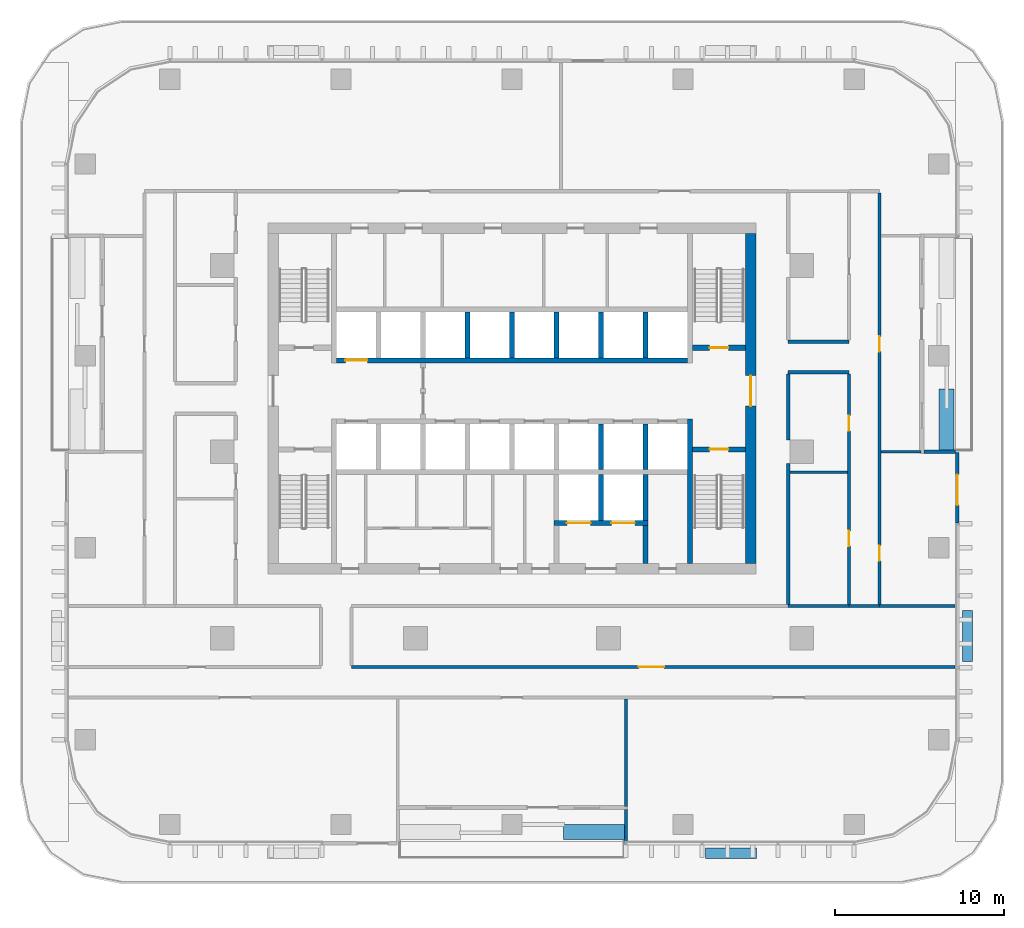
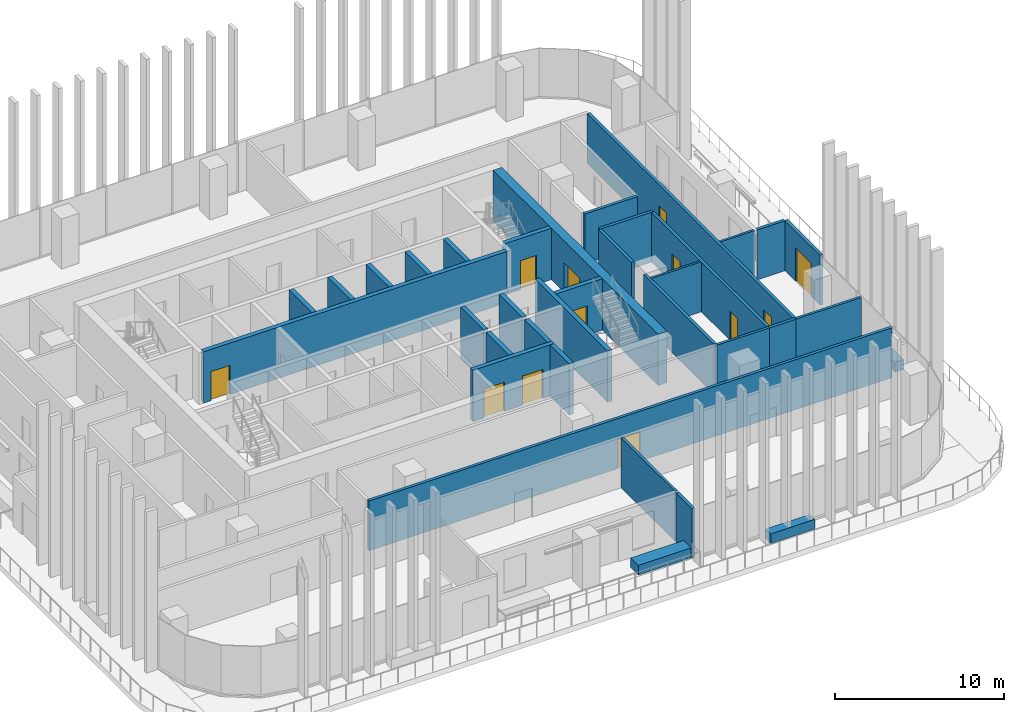
# One storey, part 9 of 16: 36 walls, 12 doors, 12 openings.
"""IFC4 building model written with IfcOpenShell, lengths in metres."""

from ifc_helpers import new_model, si_unit, direction, frame, frame_2d, origin, place, context, subcontext, project, spatial, rectangle, extrude, material, layer, layer_set, type_object, element, fill, save


model = new_model("IFC4")

# Units and contexts
model_context = context("Model", 3, precision=1e-05, world=origin(), true_north=direction((0.0, 1.0)))
body_context = subcontext(model_context, "Body", "Model", "MODEL_VIEW")
ifc_project = project(units=[si_unit("LENGTHUNIT", "METRE"), si_unit("AREAUNIT", "SQUARE_METRE"), si_unit("VOLUMEUNIT", "CUBIC_METRE"), si_unit("PLANEANGLEUNIT", "RADIAN"), si_unit("MASSUNIT", "GRAM", prefix="KILO")], contexts=[model_context])

# Site, building, storey
site_placement = place(None, origin())
site = spatial("IfcSite", under=ifc_project, at=site_placement, CompositionType="ELEMENT")
building_placement = place(site_placement, origin())
building = spatial("IfcBuilding", under=site, at=building_placement, Name="Mopane Tessera Tower", CompositionType="ELEMENT")
storey_placement = place(building_placement, frame((0.0, 0.0, 157.0)))
storey = spatial("IfcBuildingStorey", under=building, at=storey_placement, Name="L31", CompositionType="ELEMENT", Elevation=157.0)

# Wall, opening, door
ifc_material_1 = material(Name="Concrete C70/85", Category="concrete")
ifc_layer_1 = layer(ifc_material_1, 0.60009765625)
ifc_layer_set_1 = layer_set([ifc_layer_1], Name="Concrete C70/85")
wall_type_1 = type_object("IfcWallType", Name="Core shear wall 600 mm", PredefinedType="SHEAR", material=ifc_layer_set_1)
wall_1_placement = place(storey_placement, frame((14.10009765625, -6.60009765625, 0.0), z_axis=(0.0, 0.0, 1.0), x_axis=(0.0, 1.0, 0.0)))
wall_1 = element("IfcWall", 1, at=wall_1_placement, inside=storey, type_object=wall_type_1, Name="L31 Core wall east", PredefinedType="SHEAR", context=body_context, shape_type="SweptSolid", body=[
    extrude(rectangle(XDim=19.5, YDim=0.60009765625, at=frame_2d((9.75, 0.0))), origin(), (0.0, 0.0, 1.0), 3.699951171875),
])
opening_1_placement = place(wall_1_placement, frame((9.300048828125, 0.0, 0.0)))
opening_1 = element("IfcOpeningElement", 2, at=opening_1_placement, cuts=wall_1, Name="Opening SD2", PredefinedType="OPENING", context=body_context, shape_type="SweptSolid", body=[
    extrude(rectangle(XDim=1.800048828125, YDim=2.10009765625, at=frame_2d((0.89990234375, 1.050048828125))), frame((0.0, 0.31201171875, 0.0), z_axis=(0.0, -1.0, 0.0), x_axis=(1.0, 0.0, 0.0)), (0.0, 0.0, 1.0), 0.6240234375),
])
ifc_material_2 = material(Name="Steel fire door", Category="steel")
door_type_1 = type_object("IfcDoorType", Name="Core entrance double door 1800 x 2100", OperationType="DOUBLE_DOOR_SINGLE_SWING", PredefinedType="DOOR", material=ifc_material_2)
door_1_placement = place(opening_1_placement, origin())
door_1 = element("IfcDoor", 3, at=door_1_placement, inside=storey, type_object=door_type_1, Name="L31 Core entrance door east", OperationType="DOUBLE_DOOR_SINGLE_SWING", OverallHeight=2.10009765625, OverallWidth=1.800048828125, PredefinedType="DOOR", context=body_context, shape_type="SweptSolid", body=[
    extrude(rectangle(XDim=1.800048828125, YDim=2.10009765625, at=frame_2d((0.89990234375, 1.050048828125))), frame((0.0, 0.02490234375, 0.0), z_axis=(0.0, -1.0, 0.0), x_axis=(1.0, 0.0, 0.0)), (0.0, 0.0, 1.0), 0.050048828125),
])
fill(opening_1, door_1)

# Walls
ifc_material_3 = material(Name="Concrete C60/75", Category="concrete")
ifc_layer_2 = layer(ifc_material_3, 0.300048828125)
ifc_layer_set_2 = layer_set([ifc_layer_2], Name="Concrete C60/75")
wall_type_2 = type_object("IfcWallType", Name="Core spine wall 300 mm", PredefinedType="SHEAR", material=ifc_layer_set_2)
wall_2_placement = place(storey_placement, frame((10.5, -6.60009765625, 0.0), z_axis=(0.0, 0.0, 1.0), x_axis=(0.0, 1.0, 0.0)))
element("IfcWall", 4, at=wall_2_placement, inside=storey, type_object=wall_type_2, Name="L31 Core spine wall", PredefinedType="SHEAR", context=body_context, shape_type="SweptSolid", body=[
    extrude(rectangle(XDim=8.550048828125, YDim=0.300048828125, at=frame_2d((4.27490234375, 0.0))), origin(), (0.0, 0.0, 1.0), 3.699951171875),
])
ifc_material_4 = material(Name="Gypsum board on staggered steel studs, double layer each face, acoustic mineral wool infill", Category="steel")
ifc_layer_3 = layer(ifc_material_4, 0.175048828125)
ifc_layer_set_3 = layer_set([ifc_layer_3], Name="Gypsum board on staggered steel studs, double layer each face, acoustic mineral wool infill")
wall_type_3 = type_object("IfcWallType", Name="Gypsum board acoustic partition 175, rated EI 60", PredefinedType="PARTITIONING", material=ifc_layer_set_3)
wall_3_placement = place(storey_placement, frame((16.300048828125, -9.10009765625, 0.0), z_axis=(0.0, 0.0, 1.0), x_axis=(1.0, 0.0, 0.0)))
element("IfcWall", 5, at=wall_3_placement, inside=storey, type_object=wall_type_3, Name="Partition L31:005", PredefinedType="PARTITIONING", context=body_context, shape_type="SweptSolid", body=[
    extrude(rectangle(XDim=3.599853515625, YDim=0.175048828125, at=frame_2d((1.7998046875, 0.0))), origin(), (0.0, 0.0, 1.0), 3.60009765625),
])
wall_4_placement = place(storey_placement, frame((21.699951171875, -9.10009765625, 0.0), z_axis=(0.0, 0.0, 1.0), x_axis=(1.0, 0.0, 0.0)))
element("IfcWall", 6, at=wall_4_placement, inside=storey, type_object=wall_type_3, Name="Partition L31:006", PredefinedType="PARTITIONING", context=body_context, shape_type="SweptSolid", body=[
    extrude(rectangle(XDim=4.449951171875, YDim=0.175048828125, at=frame_2d((2.22509765625, 0.0))), origin(), (0.0, 0.0, 1.0), 3.60009765625),
])
wall_5_placement = place(storey_placement, frame((6.735107421875, -20.949951171875, 0.0), z_axis=(0.0, 0.0, 1.0), x_axis=(0.0, 1.0, 0.0)))
element("IfcWall", 7, at=wall_5_placement, inside=storey, type_object=wall_type_3, Name="Partition L31:038", PredefinedType="PARTITIONING", context=body_context, shape_type="SweptSolid", body=[
    extrude(rectangle(XDim=6.349853515625, YDim=0.175048828125, at=frame_2d((3.1748046875, 0.0))), origin(), (0.0, 0.0, 1.0), 3.60009765625),
])

# Wall, opening, door
ifc_material_5 = material(Name="Gypsum board on steel studs, two layers each face, mineral wool infill", Category="steel")
ifc_layer_4 = layer(ifc_material_5, 0.199951171875)
ifc_layer_set_4 = layer_set([ifc_layer_4], Name="Gypsum board on steel studs, two layers each face, mineral wool infill")
wall_type_4 = type_object("IfcWallType", Name="Gypsum board corridor wall 200, rated EI 60", PredefinedType="PARTITIONING", material=ifc_layer_set_4)
wall_6_placement = place(storey_placement, frame((-9.47998046875, -12.699951171875, 0.0), z_axis=(0.0, 0.0, 1.0), x_axis=(1.0, 0.0, 0.0)))
wall_6 = element("IfcWall", 8, at=wall_6_placement, inside=storey, type_object=wall_type_4, Name="Partition L31:002", PredefinedType="PARTITIONING", context=body_context, shape_type="SweptSolid", body=[
    extrude(rectangle(XDim=35.6298828125, YDim=0.199951171875, at=frame_2d((17.81494140625, 0.0))), origin(), (0.0, 0.0, 1.0), 3.60009765625),
])
opening_2_placement = place(wall_6_placement, frame((16.965087890625, 0.0, 0.0)))
opening_2 = element("IfcOpeningElement", 9, at=opening_2_placement, cuts=wall_6, Name="Opening L31-05", PredefinedType="OPENING", context=body_context, shape_type="SweptSolid", body=[
    extrude(rectangle(XDim=1.5, YDim=2.10009765625, at=frame_2d((0.75, 1.050048828125))), frame((0.0, 0.112060546875, 0.0), z_axis=(0.0, -1.0, 0.0), x_axis=(1.0, 0.0, 0.0)), (0.0, 0.0, 1.0), 0.223876953125),
])
ifc_material_6 = material(Name="Timber veneered steel-framed fire door", Category="steel")
door_type_2 = type_object("IfcDoorType", Name="Fire door pair FD60 1500 x 2100", OperationType="DOUBLE_DOOR_SINGLE_SWING", PredefinedType="DOOR", material=ifc_material_6)
door_2_placement = place(opening_2_placement, origin())
door_2 = element("IfcDoor", 10, at=door_2_placement, inside=storey, type_object=door_type_2, Name="Door L31-05", ObjectType="D17A", OperationType="DOUBLE_DOOR_SINGLE_SWING", OverallHeight=2.10009765625, OverallWidth=1.5, PredefinedType="DOOR", context=body_context, shape_type="SweptSolid", body=[
    extrude(rectangle(XDim=1.5, YDim=2.10009765625, at=frame_2d((0.75, 1.050048828125))), frame((0.0, 0.02490234375, 0.0), z_axis=(0.0, -1.0, 0.0), x_axis=(1.0, 0.0, 0.0)), (0.0, 0.0, 1.0), 0.050048828125),
])
fill(opening_2, door_2)

# Walls
wall_7_placement = place(storey_placement, frame((19.89990234375, -9.10009765625, 0.0), z_axis=(0.0, 0.0, 1.0), x_axis=(1.0, 0.0, 0.0)))
element("IfcWall", 11, at=wall_7_placement, inside=storey, type_object=wall_type_4, Name="Partition L31:010", PredefinedType="PARTITIONING", context=body_context, shape_type="SweptSolid", body=[
    extrude(rectangle(XDim=1.800048828125, YDim=0.199951171875, at=frame_2d((0.89990234375, 0.0))), origin(), (0.0, 0.0, 1.0), 3.60009765625),
])
for number, where, z_axis, x_axis, name in (
    (12, (16.300048828125, 4.699951171875, 0.0), (0.0, 0.0, 1.0), (1.0, 0.0, 0.0), "Partition L31:017"),
    (13, (16.300048828125, 6.5, 0.0), (0.0, 0.0, 1.0), (1.0, 0.0, 0.0), "Partition L31:018"),
):
    element("IfcWall", number, at=place(storey_placement, frame(where, z_axis=z_axis, x_axis=x_axis)), inside=storey, type_object=wall_type_4, Name=name, PredefinedType="PARTITIONING", context=body_context, shape_type="SweptSolid", body=[
        extrude(rectangle(XDim=3.599853515625, YDim=0.199951171875, at=frame_2d((1.7998046875, 0.0))), origin(), (0.0, 0.0, 1.0), 3.60009765625),
    ])
wall_8_placement = place(storey_placement, frame((16.300048828125, -9.0, 0.0), z_axis=(0.0, 0.0, 1.0), x_axis=(0.0, 1.0, 0.0)))
element("IfcWall", 14, at=wall_8_placement, inside=storey, type_object=wall_type_4, Name="Partition L31:039", PredefinedType="PARTITIONING", context=body_context, shape_type="SweptSolid", body=[
    extrude(rectangle(XDim=8.300048828125, YDim=0.199951171875, at=frame_2d((4.14990234375, 0.0))), origin(), (0.0, 0.0, 1.0), 3.60009765625),
])
wall_9_placement = place(storey_placement, frame((16.300048828125, 0.699951171875, 0.0), z_axis=(0.0, 0.0, 1.0), x_axis=(0.0, 1.0, 0.0)))
element("IfcWall", 15, at=wall_9_placement, inside=storey, type_object=wall_type_4, Name="Partition L31:040", PredefinedType="PARTITIONING", context=body_context, shape_type="SweptSolid", body=[
    extrude(rectangle(XDim=3.900146484375, YDim=0.199951171875, at=frame_2d((1.9501953125, 0.0))), origin(), (0.0, 0.0, 1.0), 3.60009765625),
])

# Wall, openings, doors
wall_10_placement = place(storey_placement, frame((19.89990234375, -9.0, 0.0), z_axis=(0.0, 0.0, 1.0), x_axis=(0.0, 1.0, 0.0)))
wall_10 = element("IfcWall", 16, at=wall_10_placement, inside=storey, type_object=wall_type_4, Name="Partition L31:043", PredefinedType="PARTITIONING", context=body_context, shape_type="SweptSolid", body=[
    extrude(rectangle(XDim=13.60009765625, YDim=0.199951171875, at=frame_2d((6.800048828125, 0.0))), origin(), (0.0, 0.0, 1.0), 3.60009765625),
])
opening_3_placement = place(wall_10_placement, frame((3.4423828125, 0.0, 0.0)))
opening_3 = element("IfcOpeningElement", 17, at=opening_3_placement, cuts=wall_10, Name="Opening L31-08", PredefinedType="OPENING", context=body_context, shape_type="SweptSolid", body=[
    extrude(rectangle(XDim=0.89990234375, YDim=2.10009765625, at=frame_2d((0.449951171875, 1.050048828125))), frame((0.0, 0.112060546875, 0.0), z_axis=(0.0, -1.0, 0.0), x_axis=(1.0, 0.0, 0.0)), (0.0, 0.0, 1.0), 0.223876953125),
])
opening_4_placement = place(wall_10_placement, frame((10.242431640625, 0.0, 0.0)))
opening_4 = element("IfcOpeningElement", 18, at=opening_4_placement, cuts=wall_10, Name="Opening L31-14", PredefinedType="OPENING", context=body_context, shape_type="SweptSolid", body=[
    extrude(rectangle(XDim=0.89990234375, YDim=2.10009765625, at=frame_2d((0.449951171875, 1.050048828125))), frame((0.0, 0.112060546875, 0.0), z_axis=(0.0, -1.0, 0.0), x_axis=(1.0, 0.0, 0.0)), (0.0, 0.0, 1.0), 0.223876953125),
])
ifc_material_7 = material(Name="Timber veneered steel-framed fire door", Category="steel")
door_type_3 = type_object("IfcDoorType", Name="Fire door FD60 900 x 2100", OperationType="SINGLE_SWING_LEFT", PredefinedType="DOOR", material=ifc_material_7)
door_3_placement = place(opening_3_placement, origin())
door_3 = element("IfcDoor", 19, at=door_3_placement, inside=storey, type_object=door_type_3, Name="Door L31-08", ObjectType="D10A", OperationType="SINGLE_SWING_LEFT", OverallHeight=2.10009765625, OverallWidth=0.89990234375, PredefinedType="DOOR", context=body_context, shape_type="SweptSolid", body=[
    extrude(rectangle(XDim=0.89990234375, YDim=2.10009765625, at=frame_2d((0.449951171875, 1.050048828125))), frame((0.0, 0.02490234375, 0.0), z_axis=(0.0, -1.0, 0.0), x_axis=(1.0, 0.0, 0.0)), (0.0, 0.0, 1.0), 0.050048828125),
])
fill(opening_3, door_3)
door_4_placement = place(opening_4_placement, origin())
door_4 = element("IfcDoor", 20, at=door_4_placement, inside=storey, type_object=door_type_3, Name="Door L31-14", ObjectType="D10A", OperationType="SINGLE_SWING_LEFT", OverallHeight=2.10009765625, OverallWidth=0.89990234375, PredefinedType="DOOR", context=body_context, shape_type="SweptSolid", body=[
    extrude(rectangle(XDim=0.89990234375, YDim=2.10009765625, at=frame_2d((0.449951171875, 1.050048828125))), frame((0.0, 0.02490234375, 0.0), z_axis=(0.0, -1.0, 0.0), x_axis=(1.0, 0.0, 0.0)), (0.0, 0.0, 1.0), 0.050048828125),
])
fill(opening_4, door_4)

wall_11_placement = place(storey_placement, frame((21.699951171875, -9.0, 0.0), z_axis=(0.0, 0.0, 1.0), x_axis=(0.0, 1.0, 0.0)))
wall_11 = element("IfcWall", 21, at=wall_11_placement, inside=storey, type_object=wall_type_4, Name="Partition L31:045", PredefinedType="PARTITIONING", context=body_context, shape_type="SweptSolid", body=[
    extrude(rectangle(XDim=24.300048828125, YDim=0.199951171875, at=frame_2d((12.14990234375, 0.0))), origin(), (0.0, 0.0, 1.0), 3.60009765625),
])
opening_5_placement = place(wall_11_placement, frame((14.925048828125, 0.0, 0.0)))
opening_5 = element("IfcOpeningElement", 22, at=opening_5_placement, cuts=wall_11, Name="Opening L31-03", PredefinedType="OPENING", context=body_context, shape_type="SweptSolid", body=[
    extrude(rectangle(XDim=0.89990234375, YDim=2.10009765625, at=frame_2d((0.449951171875, 1.050048828125))), frame((0.0, 0.112060546875, 0.0), z_axis=(0.0, -1.0, 0.0), x_axis=(1.0, 0.0, 0.0)), (0.0, 0.0, 1.0), 0.223876953125),
])
opening_6_placement = place(wall_11_placement, frame((2.5625, 0.0, 0.0)))
opening_6 = element("IfcOpeningElement", 23, at=opening_6_placement, cuts=wall_11, Name="Opening L31-16", PredefinedType="OPENING", context=body_context, shape_type="SweptSolid", body=[
    extrude(rectangle(XDim=0.89990234375, YDim=2.10009765625, at=frame_2d((0.449951171875, 1.050048828125))), frame((0.0, 0.112060546875, 0.0), z_axis=(0.0, -1.0, 0.0), x_axis=(1.0, 0.0, 0.0)), (0.0, 0.0, 1.0), 0.223876953125),
])
door_5_placement = place(opening_5_placement, origin())
door_5 = element("IfcDoor", 24, at=door_5_placement, inside=storey, type_object=door_type_3, Name="Door L31-03", ObjectType="D10A", OperationType="SINGLE_SWING_LEFT", OverallHeight=2.10009765625, OverallWidth=0.89990234375, PredefinedType="DOOR", context=body_context, shape_type="SweptSolid", body=[
    extrude(rectangle(XDim=0.89990234375, YDim=2.10009765625, at=frame_2d((0.449951171875, 1.050048828125))), frame((0.0, 0.02490234375, 0.0), z_axis=(0.0, -1.0, 0.0), x_axis=(1.0, 0.0, 0.0)), (0.0, 0.0, 1.0), 0.050048828125),
])
fill(opening_5, door_5)
door_6_placement = place(opening_6_placement, origin())
door_6 = element("IfcDoor", 25, at=door_6_placement, inside=storey, type_object=door_type_3, Name="Door L31-16", ObjectType="D10A", OperationType="SINGLE_SWING_RIGHT", OverallHeight=2.10009765625, OverallWidth=0.89990234375, PredefinedType="DOOR", context=body_context, shape_type="SweptSolid", body=[
    extrude(rectangle(XDim=0.89990234375, YDim=2.10009765625, at=frame_2d((0.449951171875, 1.050048828125))), frame((0.0, 0.02490234375, 0.0), z_axis=(0.0, -1.0, 0.0), x_axis=(1.0, 0.0, 0.0)), (0.0, 0.0, 1.0), 0.050048828125),
])
fill(opening_6, door_6)

# Walls
ifc_material_8 = material(Name="Gypsum board on steel studs, mineral wool infill", Category="steel")
ifc_layer_5 = layer(ifc_material_8, 0.14990234375)
ifc_layer_set_5 = layer_set([ifc_layer_5], Name="Gypsum board on steel studs, mineral wool infill")
wall_type_5 = type_object("IfcWallType", Name="Gypsum board partition 150, rated EI 60", PredefinedType="PARTITIONING", material=ifc_layer_set_5)
wall_12_placement = place(storey_placement, frame((16.39990234375, -1.215087890625, 0.0), z_axis=(0.0, 0.0, 1.0), x_axis=(1.0, 0.0, 0.0)))
element("IfcWall", 26, at=wall_12_placement, inside=storey, type_object=wall_type_5, Name="Partition L31:012", PredefinedType="PARTITIONING", context=body_context, shape_type="SweptSolid", body=[
    extrude(rectangle(XDim=3.400146484375, YDim=0.14990234375, at=frame_2d((1.7001953125, 0.0))), origin(), (0.0, 0.0, 1.0), 3.60009765625),
])
wall_13_placement = place(storey_placement, frame((21.800048828125, 0.0, 0.0), z_axis=(0.0, 0.0, 1.0), x_axis=(1.0, 0.0, 0.0)))
element("IfcWall", 27, at=wall_13_placement, inside=storey, type_object=wall_type_5, Name="Partition L31:014", PredefinedType="PARTITIONING", context=body_context, shape_type="SweptSolid", body=[
    extrude(rectangle(XDim=2.349853515625, YDim=0.14990234375, at=frame_2d((1.1748046875, 0.0))), origin(), (0.0, 0.0, 1.0), 3.60009765625),
])

# Wall, opening, door
ifc_material_9 = material(Name="Concrete C50/60", Category="concrete")
ifc_layer_6 = layer(ifc_material_9, 0.300048828125)
ifc_layer_set_6 = layer_set([ifc_layer_6], Name="Concrete C50/60")
wall_type_6 = type_object("IfcWallType", Name="Lift and stair shaft wall 300 mm", PredefinedType="SOLIDWALL", material=ifc_layer_set_6)
wall_14_placement = place(storey_placement, frame((10.64990234375, 0.14990234375, 0.0), z_axis=(0.0, 0.0, 1.0), x_axis=(1.0, 0.0, 0.0)))
wall_14 = element("IfcWall", 28, at=wall_14_placement, inside=storey, type_object=wall_type_6, Name="L31 Stair enclosure wall", PredefinedType="SOLIDWALL", context=body_context, shape_type="SweptSolid", body=[
    extrude(rectangle(XDim=3.150146484375, YDim=0.300048828125, at=frame_2d((1.5751953125, 0.0))), origin(), (0.0, 0.0, 1.0), 3.699951171875),
])
opening_7_placement = place(wall_14_placement, frame((1.02490234375, 0.0, 0.0)))
opening_7 = element("IfcOpeningElement", 29, at=opening_7_placement, cuts=wall_14, Name="Opening SD1", PredefinedType="OPENING", context=body_context, shape_type="SweptSolid", body=[
    extrude(rectangle(XDim=1.10009765625, YDim=2.10009765625, at=frame_2d((0.550048828125, 1.050048828125))), frame((0.0, 0.162109375, 0.0), z_axis=(0.0, -1.0, 0.0), x_axis=(1.0, 0.0, 0.0)), (0.0, 0.0, 1.0), 0.323974609375),
])
ifc_material_10 = material(Name="Steel fire door", Category="steel")
door_type_4 = type_object("IfcDoorType", Name="Stair fire door 1100 x 2100", OperationType="SINGLE_SWING_LEFT", PredefinedType="DOOR", material=ifc_material_10)
door_7_placement = place(opening_7_placement, origin())
door_7 = element("IfcDoor", 30, at=door_7_placement, inside=storey, type_object=door_type_4, Name="L31 Stair door ST3", OperationType="SINGLE_SWING_RIGHT", OverallHeight=2.10009765625, OverallWidth=1.10009765625, PredefinedType="DOOR", context=body_context, shape_type="SweptSolid", body=[
    extrude(rectangle(XDim=1.10009765625, YDim=2.10009765625, at=frame_2d((0.550048828125, 1.050048828125))), frame((0.0, 0.02490234375, 0.0), z_axis=(0.0, -1.0, 0.0), x_axis=(1.0, 0.0, 0.0)), (0.0, 0.0, 1.0), 0.050048828125),
])
fill(opening_7, door_7)

wall_15_placement = place(storey_placement, frame((10.64990234375, 6.14990234375, 0.0), z_axis=(0.0, 0.0, 1.0), x_axis=(1.0, 0.0, 0.0)))
wall_15 = element("IfcWall", 31, at=wall_15_placement, inside=storey, type_object=wall_type_6, Name="L31 Stair enclosure wall", PredefinedType="SOLIDWALL", context=body_context, shape_type="SweptSolid", body=[
    extrude(rectangle(XDim=3.150146484375, YDim=0.300048828125, at=frame_2d((1.5751953125, 0.0))), origin(), (0.0, 0.0, 1.0), 3.699951171875),
])
opening_8_placement = place(wall_15_placement, frame((1.02490234375, 0.0, 0.0)))
opening_8 = element("IfcOpeningElement", 32, at=opening_8_placement, cuts=wall_15, Name="Opening SD1", PredefinedType="OPENING", context=body_context, shape_type="SweptSolid", body=[
    extrude(rectangle(XDim=1.10009765625, YDim=2.10009765625, at=frame_2d((0.550048828125, 1.050048828125))), frame((0.0, 0.162109375, 0.0), z_axis=(0.0, -1.0, 0.0), x_axis=(1.0, 0.0, 0.0)), (0.0, 0.0, 1.0), 0.323974609375),
])
door_8_placement = place(opening_8_placement, origin())
door_8 = element("IfcDoor", 33, at=door_8_placement, inside=storey, type_object=door_type_4, Name="L31 Stair door ST4", OperationType="SINGLE_SWING_RIGHT", OverallHeight=2.10009765625, OverallWidth=1.10009765625, PredefinedType="DOOR", context=body_context, shape_type="SweptSolid", body=[
    extrude(rectangle(XDim=1.10009765625, YDim=2.10009765625, at=frame_2d((0.550048828125, 1.050048828125))), frame((0.0, 0.02490234375, 0.0), z_axis=(0.0, -1.0, 0.0), x_axis=(1.0, 0.0, 0.0)), (0.0, 0.0, 1.0), 0.050048828125),
])
fill(opening_8, door_8)

wall_16_placement = place(storey_placement, frame((-10.35009765625, 5.39990234375, 0.0), z_axis=(0.0, 0.0, 1.0), x_axis=(1.0, 0.0, 0.0)))
wall_16 = element("IfcWall", 34, at=wall_16_placement, inside=storey, type_object=wall_type_6, Name="L31 Lift shaft front wall", PredefinedType="SOLIDWALL", context=body_context, shape_type="SweptSolid", body=[
    extrude(rectangle(XDim=20.7001953125, YDim=0.300048828125, at=frame_2d((10.35009765625, 0.0))), origin(), (0.0, 0.0, 1.0), 3.699951171875),
])
opening_9_placement = place(wall_16_placement, frame((0.512451171875, 0.0, 0.0)))
opening_9 = element("IfcOpeningElement", 35, at=opening_9_placement, cuts=wall_16, Name="Opening LD2", PredefinedType="OPENING", context=body_context, shape_type="SweptSolid", body=[
    extrude(rectangle(XDim=1.300048828125, YDim=2.10009765625, at=frame_2d((0.64990234375, 1.050048828125))), frame((0.0, 0.162109375, 0.0), z_axis=(0.0, -1.0, 0.0), x_axis=(1.0, 0.0, 0.0)), (0.0, 0.0, 1.0), 0.323974609375),
])
ifc_material_11 = material(Name="Stainless steel sliding door", Category="steel")
door_type_5 = type_object("IfcDoorType", Name="Fire-fighting lift landing door 1300 x 2100", OperationType="DOUBLE_DOOR_SLIDING", PredefinedType="DOOR", material=ifc_material_11)
door_9_placement = place(opening_9_placement, origin())
door_9 = element("IfcDoor", 36, at=door_9_placement, inside=storey, type_object=door_type_5, Name="L31 Lift landing door FF2", OperationType="DOUBLE_DOOR_SLIDING", OverallHeight=2.10009765625, OverallWidth=1.300048828125, PredefinedType="DOOR", context=body_context, shape_type="SweptSolid", body=[
    extrude(rectangle(XDim=1.300048828125, YDim=2.10009765625, at=frame_2d((0.64990234375, 1.050048828125))), frame((0.0, 0.02490234375, 0.0), z_axis=(0.0, -1.0, 0.0), x_axis=(1.0, 0.0, 0.0)), (0.0, 0.0, 1.0), 0.050048828125),
])
fill(opening_9, door_9)

# Walls
for number, where, z_axis, x_axis, name in (
    (37, (5.25, -1.050048828125, 0.0), (0.0, 0.0, 1.0), (0.0, 1.0, 0.0), "L31 Lift shaft wall"),
    (38, (7.875, -1.050048828125, 0.0), (0.0, 0.0, 1.0), (0.0, 1.0, 0.0), "L31 Lift shaft wall"),
    (39, (-2.625, 5.550048828125, 0.0), (0.0, 0.0, 1.0), (0.0, 1.0, 0.0), "L31 Lift shaft wall"),
    (40, (0.0, 5.550048828125, 0.0), (0.0, 0.0, 1.0), (0.0, 1.0, 0.0), "L31 Lift shaft wall"),
    (41, (2.625, 5.550048828125, 0.0), (0.0, 0.0, 1.0), (0.0, 1.0, 0.0), "L31 Lift shaft wall"),
    (42, (5.25, 5.550048828125, 0.0), (0.0, 0.0, 1.0), (0.0, 1.0, 0.0), "L31 Lift shaft wall"),
    (43, (7.875, 5.550048828125, 0.0), (0.0, 0.0, 1.0), (0.0, 1.0, 0.0), "L31 Lift shaft wall"),
):
    element("IfcWall", number, at=place(storey_placement, frame(where, z_axis=z_axis, x_axis=x_axis)), inside=storey, type_object=wall_type_6, Name=name, PredefinedType="SOLIDWALL", context=body_context, shape_type="SweptSolid", body=[
        extrude(rectangle(XDim=2.699951171875, YDim=0.300048828125, at=frame_2d((1.35009765625, 0.0))), origin(), (0.0, 0.0, 1.0), 3.699951171875),
    ])

# Wall, openings, doors
wall_17_placement = place(storey_placement, frame((2.47509765625, -4.199951171875, 0.0), z_axis=(0.0, 0.0, 1.0), x_axis=(1.0, 0.0, 0.0)))
wall_17 = element("IfcWall", 44, at=wall_17_placement, inside=storey, type_object=wall_type_6, Name="L31 Lift shaft front wall", PredefinedType="SOLIDWALL", context=body_context, shape_type="SweptSolid", body=[
    extrude(rectangle(XDim=5.5498046875, YDim=0.300048828125, at=frame_2d((2.77490234375, 0.0))), origin(), (0.0, 0.0, 1.0), 3.699951171875),
])
opening_10_placement = place(wall_17_placement, frame((0.762451171875, 0.0, 0.0)))
opening_10 = element("IfcOpeningElement", 45, at=opening_10_placement, cuts=wall_17, Name="Opening LD3", PredefinedType="OPENING", context=body_context, shape_type="SweptSolid", body=[
    extrude(rectangle(XDim=1.39990234375, YDim=2.10009765625, at=frame_2d((0.699951171875, 1.050048828125))), frame((0.0, 0.162109375, 0.0), z_axis=(0.0, -1.0, 0.0), x_axis=(1.0, 0.0, 0.0)), (0.0, 0.0, 1.0), 0.323974609375),
])
opening_11_placement = place(wall_17_placement, frame((3.387451171875, 0.0, 0.0)))
opening_11 = element("IfcOpeningElement", 46, at=opening_11_placement, cuts=wall_17, Name="Opening LD3", PredefinedType="OPENING", context=body_context, shape_type="SweptSolid", body=[
    extrude(rectangle(XDim=1.39990234375, YDim=2.10009765625, at=frame_2d((0.699951171875, 1.050048828125))), frame((0.0, 0.162109375, 0.0), z_axis=(0.0, -1.0, 0.0), x_axis=(1.0, 0.0, 0.0)), (0.0, 0.0, 1.0), 0.323974609375),
])
ifc_material_12 = material(Name="Stainless steel sliding door", Category="steel")
door_type_6 = type_object("IfcDoorType", Name="Service lift landing door 1400 x 2100", OperationType="DOUBLE_DOOR_SLIDING", PredefinedType="DOOR", material=ifc_material_12)
door_10_placement = place(opening_10_placement, origin())
door_10 = element("IfcDoor", 47, at=door_10_placement, inside=storey, type_object=door_type_6, Name="L31 Lift landing door SV1", OperationType="DOUBLE_DOOR_SLIDING", OverallHeight=2.10009765625, OverallWidth=1.39990234375, PredefinedType="DOOR", context=body_context, shape_type="SweptSolid", body=[
    extrude(rectangle(XDim=1.39990234375, YDim=2.10009765625, at=frame_2d((0.699951171875, 1.050048828125))), frame((0.0, 0.02490234375, 0.0), z_axis=(0.0, -1.0, 0.0), x_axis=(1.0, 0.0, 0.0)), (0.0, 0.0, 1.0), 0.050048828125),
])
fill(opening_10, door_10)
door_11_placement = place(opening_11_placement, origin())
door_11 = element("IfcDoor", 48, at=door_11_placement, inside=storey, type_object=door_type_6, Name="L31 Lift landing door SV2", OperationType="DOUBLE_DOOR_SLIDING", OverallHeight=2.10009765625, OverallWidth=1.39990234375, PredefinedType="DOOR", context=body_context, shape_type="SweptSolid", body=[
    extrude(rectangle(XDim=1.39990234375, YDim=2.10009765625, at=frame_2d((0.699951171875, 1.050048828125))), frame((0.0, 0.02490234375, 0.0), z_axis=(0.0, -1.0, 0.0), x_axis=(1.0, 0.0, 0.0)), (0.0, 0.0, 1.0), 0.050048828125),
])
fill(opening_11, door_11)

# Walls
for number, where, z_axis, x_axis, name in (
    (49, (5.25, -4.050048828125, 0.0), (0.0, 0.0, 1.0), (0.0, 1.0, 0.0), "L31 Lift shaft wall"),
    (50, (7.875, -4.050048828125, 0.0), (0.0, 0.0, 1.0), (0.0, 1.0, 0.0), "L31 Lift shaft wall"),
):
    element("IfcWall", number, at=place(storey_placement, frame(where, z_axis=z_axis, x_axis=x_axis)), inside=storey, type_object=wall_type_6, Name=name, PredefinedType="SOLIDWALL", context=body_context, shape_type="SweptSolid", body=[
        extrude(rectangle(XDim=2.699951171875, YDim=0.300048828125, at=frame_2d((1.35009765625, 0.0))), origin(), (0.0, 0.0, 1.0), 3.699951171875),
    ])
ifc_material_13 = material(Name="Concrete C50/60", Category="concrete")
ifc_layer_7 = layer(ifc_material_13, 0.300048828125)
ifc_layer_set_7 = layer_set([ifc_layer_7], Name="Concrete C50/60")
wall_type_7 = type_object("IfcWallType", Name="Lobby and refuge room wall 300 mm", PredefinedType="SOLIDWALL", material=ifc_layer_set_7)
wall_18_placement = place(storey_placement, frame((7.875, -6.60009765625, 0.0), z_axis=(0.0, 0.0, 1.0), x_axis=(0.0, 1.0, 0.0)))
element("IfcWall", 51, at=wall_18_placement, inside=storey, type_object=wall_type_7, Name="L31 Service lobby wall", PredefinedType="SOLIDWALL", context=body_context, shape_type="SweptSolid", body=[
    extrude(rectangle(XDim=2.25, YDim=0.300048828125, at=frame_2d((1.125, 0.0))), origin(), (0.0, 0.0, 1.0), 3.699951171875),
])
ifc_material_14 = material(Name="Reinforced concrete C32/40 with waterproofing", Category="concrete")
ifc_layer_8 = layer(ifc_material_14, 0.60009765625)
ifc_layer_set_8 = layer_set([ifc_layer_8], Name="Reinforced concrete C32/40 with waterproofing")
wall_type_8 = type_object("IfcWallType", Name="Planter trough 3000 x 600", PredefinedType="STANDARD", material=ifc_layer_set_8)
for number, where, z_axis, x_axis, name in (
    (52, (11.427978515625, -23.699951171875, 0.0), (0.0, 0.0, 1.0), (1.0, 0.0, 0.0), "e:sp:L31:S1"),
    (53, (26.89990234375, -12.3798828125, 0.0), (0.0, 0.0, 1.0), (0.0, 1.0, 0.0), "e:sp:L31:E0"),
):
    element("IfcWall", number, at=place(storey_placement, frame(where, z_axis=z_axis, x_axis=x_axis)), inside=storey, type_object=wall_type_8, Name=name, PredefinedType="STANDARD", context=body_context, shape_type="SweptSolid", body=[
        extrude(rectangle(XDim=3.0, YDim=0.60009765625, at=frame_2d((1.5, 0.0))), origin(), (0.0, 0.0, 1.0), 0.699951171875),
    ])
ifc_material_15 = material(Name="Reinforced concrete C32/40 with waterproofing", Category="concrete")
ifc_layer_9 = layer(ifc_material_15, 0.89990234375)
ifc_layer_set_9 = layer_set([ifc_layer_9], Name="Reinforced concrete C32/40 with waterproofing")
wall_type_9 = type_object("IfcWallType", Name="Planter trough 3600 x 900", PredefinedType="STANDARD", material=ifc_layer_set_9)
for number, where, z_axis, x_axis, name in (
    (54, (3.033447265625, -22.449951171875, 0.0), (0.0, 0.0, 1.0), (1.0, 0.0, 0.0), "e:nw:L31:N2:pl1"),
    (55, (25.64990234375, 0.10009765625, 0.0), (0.0, 0.0, 1.0), (0.0, 1.0, 0.0), "e:nw:L31:N3:pl0"),
):
    element("IfcWall", number, at=place(storey_placement, frame(where, z_axis=z_axis, x_axis=x_axis)), inside=storey, type_object=wall_type_9, Name=name, PredefinedType="STANDARD", context=body_context, shape_type="SweptSolid", body=[
        extrude(rectangle(XDim=3.599853515625, YDim=0.89990234375, at=frame_2d((1.7998046875, 0.0))), origin(), (0.0, 0.0, 1.0), 0.699951171875),
    ])
ifc_material_16 = material(Name="Blockwork with glazed tile facing", Category="masonry")
ifc_layer_10 = layer(ifc_material_16, 0.199951171875)
ifc_layer_set_10 = layer_set([ifc_layer_10], Name="Blockwork with glazed tile facing")
wall_type_10 = type_object("IfcWallType", Name="Terrace cheek wall 200", PredefinedType="STANDARD", material=ifc_layer_set_10)
for number, where, z_axis, x_axis, name in (
    (56, (6.7333984375, -23.0, 0.0), (0.0, 0.0, 1.0), (0.0, 1.0, 0.0), "e:nw:L31:N2:cheekb"),
    (57, (26.199951171875, 0.0, 0.0), (0.0, 0.0, 1.0), (-1.0, 0.0, 0.0), "e:nw:L31:N3:cheeka"),
):
    element("IfcWall", number, at=place(storey_placement, frame(where, z_axis=z_axis, x_axis=x_axis)), inside=storey, type_object=wall_type_10, Name=name, PredefinedType="STANDARD", context=body_context, shape_type="SweptSolid", body=[
        extrude(rectangle(XDim=1.875, YDim=0.199951171875, at=frame_2d((0.9375, 0.0))), origin(), (0.0, 0.0, 1.0), 3.60009765625),
    ])

# Wall, opening, door
ifc_material_17 = material(Name="Blockwork with glazed tile facing", Category="masonry")
ifc_layer_11 = layer(ifc_material_17, 0.199951171875)
ifc_layer_set_11 = layer_set([ifc_layer_11], Name="Blockwork with glazed tile facing")
wall_type_11 = type_object("IfcWallType", Name="Tile-clad portal wall 200", PredefinedType="STANDARD", material=ifc_layer_set_11)
wall_19_placement = place(storey_placement, frame((26.300048828125, -4.199951171875, 0.0), z_axis=(0.0, 0.0, 1.0), x_axis=(0.0, 1.0, 0.0)))
wall_19 = element("IfcWall", 58, at=wall_19_placement, inside=storey, type_object=wall_type_11, Name="e:pw:L31:E", PredefinedType="STANDARD", context=body_context, shape_type="SweptSolid", body=[
    extrude(rectangle(XDim=4.14990234375, YDim=0.199951171875, at=frame_2d((2.074951171875, 0.0))), origin(), (0.0, 0.0, 1.0), 3.60009765625),
])
opening_12_placement = place(wall_19_placement, frame((1.050048828125, 0.0, 0.0)))
opening_12 = element("IfcOpeningElement", 59, at=opening_12_placement, cuts=wall_19, Name="Opening TD31E", PredefinedType="OPENING", context=body_context, shape_type="SweptSolid", body=[
    extrude(rectangle(XDim=1.800048828125, YDim=2.39990234375, at=frame_2d((0.89990234375, 1.199951171875))), frame((0.0, 0.112060546875, 0.0), z_axis=(0.0, -1.0, 0.0), x_axis=(1.0, 0.0, 0.0)), (0.0, 0.0, 1.0), 0.223876953125),
])
ifc_material_18 = material(Name="Aluminium and clear glass", Category="aluminium")
door_type_7 = type_object("IfcDoorType", Name="Terrace double door 1800 x 2400", OperationType="DOUBLE_DOOR_SINGLE_SWING", PredefinedType="DOOR", material=ifc_material_18)
door_12_placement = place(opening_12_placement, origin())
door_12 = element("IfcDoor", 60, at=door_12_placement, inside=storey, type_object=door_type_7, Name="e:pw:L31:E:door", ObjectType="D1", OperationType="DOUBLE_DOOR_SINGLE_SWING", OverallHeight=2.39990234375, OverallWidth=1.800048828125, PredefinedType="DOOR", context=body_context, shape_type="SweptSolid", body=[
    extrude(rectangle(XDim=1.800048828125, YDim=2.39990234375, at=frame_2d((0.89990234375, 1.199951171875))), frame((0.0, 0.02490234375, 0.0), z_axis=(0.0, -1.0, 0.0), x_axis=(1.0, 0.0, 0.0)), (0.0, 0.0, 1.0), 0.050048828125),
])
fill(opening_12, door_12)

save(model, "model.ifc")
